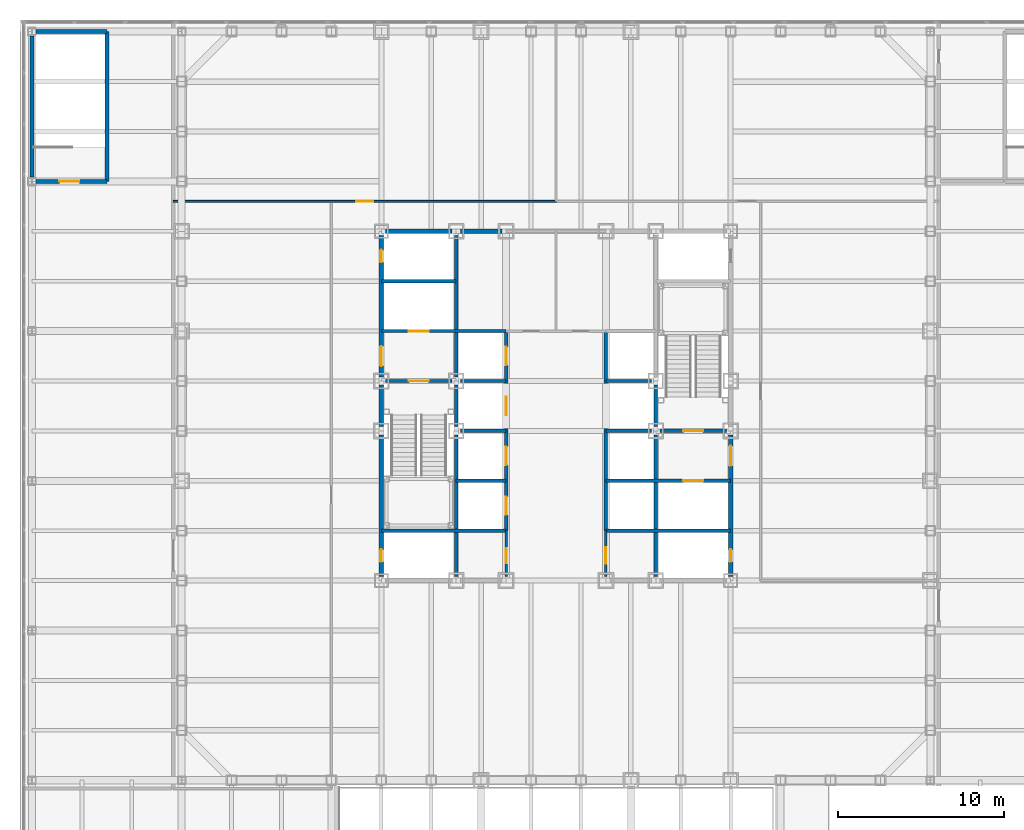
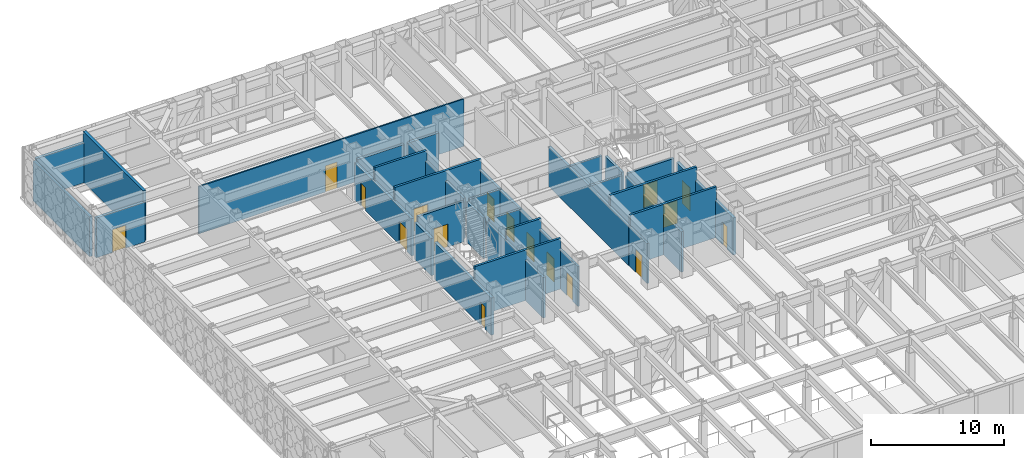
# One storey, part 14 of 24: 32 walls, 17 doors, 17 openings.
"""IFC4 building model written with IfcOpenShell, lengths in metres."""

from ifc_helpers import new_model, si_unit, direction, frame, frame_2d, origin, place, context, subcontext, project, spatial, rectangle, extrude, material, layer, layer_set, type_object, element, fill, save


model = new_model("IFC4")

# Units and contexts
model_context = context("Model", 3, precision=1e-05, world=origin(), true_north=direction((0.0, 1.0)))
body_context = subcontext(model_context, "Body", "Model", "MODEL_VIEW")
ifc_project = project(units=[si_unit("LENGTHUNIT", "METRE"), si_unit("AREAUNIT", "SQUARE_METRE"), si_unit("VOLUMEUNIT", "CUBIC_METRE"), si_unit("PLANEANGLEUNIT", "RADIAN"), si_unit("MASSUNIT", "GRAM", prefix="KILO")], contexts=[model_context])

# Site, building, storey
site_placement = place(None, origin())
site = spatial("IfcSite", under=ifc_project, at=site_placement, CompositionType="ELEMENT")
building_placement = place(site_placement, origin())
building = spatial("IfcBuilding", under=site, at=building_placement, Name="Chuquiago Exchange Tower", CompositionType="ELEMENT")
storey_placement = place(building_placement, frame((0.0, 0.0, 19.5)))
storey = spatial("IfcBuildingStorey", under=building, at=storey_placement, Name="L03", CompositionType="ELEMENT", Elevation=19.5)

# Wall, opening, door
ifc_material_1 = material(Name="Concrete masonry, fully grouted", Category="masonry")
ifc_layer_1 = layer(ifc_material_1, 0.25)
ifc_layer_set_1 = layer_set([ifc_layer_1], Name="W1 core wall 250")
wall_type_1 = type_object("IfcWallType", Name="W1 core wall 250", PredefinedType="SOLIDWALL", material=ifc_layer_set_1)
wall_1_placement = place(storey_placement, frame((12.0, 12.25, 0.0), z_axis=(0.0, 0.0, 1.0), x_axis=(0.0, 1.0, 0.0)))
wall_1 = element("IfcWall", 1, at=wall_1_placement, inside=storey, type_object=wall_type_1, Name="CW-L03-00-0", PredefinedType="SOLIDWALL", context=body_context, shape_type="SweptSolid", body=[
    extrude(rectangle(XDim=8.5, YDim=0.25, at=frame_2d((4.25, 0.0))), origin(), (0.0, 0.0, 1.0), 3.412841796875),
])
opening_1_placement = place(wall_1_placement, frame((0.875, 0.0, 0.0)))
opening_1 = element("IfcOpeningElement", 2, at=opening_1_placement, cuts=wall_1, Name="Opening L03-007", PredefinedType="OPENING", context=body_context, shape_type="SweptSolid", body=[
    extrude(rectangle(XDim=0.75, YDim=2.10009765625, at=frame_2d((0.375, 1.050048828125))), frame((0.0, 0.135009765625, 0.0), z_axis=(0.0, -1.0, 0.0), x_axis=(1.0, 0.0, 0.0)), (0.0, 0.0, 1.0), 0.27001953125),
])
ifc_material_2 = material(Name="Steel door, painted", Category="steel")
door_type_1 = type_object("IfcDoorType", Name="D6 riser access door 750x2100", OperationType="SINGLE_SWING_LEFT", PredefinedType="DOOR", material=ifc_material_2)
door_1_placement = place(opening_1_placement, origin())
door_1 = element("IfcDoor", 3, at=door_1_placement, inside=storey, type_object=door_type_1, Name="Riser RW1 door", OperationType="SINGLE_SWING_LEFT", OverallHeight=2.10009765625, OverallWidth=0.75, PredefinedType="DOOR", context=body_context, shape_type="SweptSolid", body=[
    extrude(rectangle(XDim=0.75, YDim=2.10009765625, at=frame_2d((0.375, 1.050048828125))), frame((0.0, 0.02490234375, 0.0), z_axis=(0.0, -1.0, 0.0), x_axis=(1.0, 0.0, 0.0)), (0.0, 0.0, 1.0), 0.050048828125),
])
fill(opening_1, door_1)

# Wall
wall_2_placement = place(storey_placement, frame((12.0, 21.25, 0.0), z_axis=(0.0, 0.0, 1.0), x_axis=(0.0, 1.0, 0.0)))
element("IfcWall", 4, at=wall_2_placement, inside=storey, type_object=wall_type_1, Name="CW-L03-00-1", PredefinedType="SOLIDWALL", context=body_context, shape_type="SweptSolid", body=[
    extrude(rectangle(XDim=2.5, YDim=0.25, at=frame_2d((1.25, 0.0))), origin(), (0.0, 0.0, 1.0), 3.412841796875),
])

# Wall, openings, doors
wall_3_placement = place(storey_placement, frame((12.0, 24.25, 0.0), z_axis=(0.0, 0.0, 1.0), x_axis=(0.0, 1.0, 0.0)))
wall_3 = element("IfcWall", 5, at=wall_3_placement, inside=storey, type_object=wall_type_1, Name="CW-L03-00-2", PredefinedType="SOLIDWALL", context=body_context, shape_type="SweptSolid", body=[
    extrude(rectangle(XDim=8.5, YDim=0.25, at=frame_2d((4.25, 0.0))), origin(), (0.0, 0.0, 1.0), 3.412841796875),
])
opening_2_placement = place(wall_3_placement, frame((0.64990234375, 0.0, 0.0)))
opening_2 = element("IfcOpeningElement", 6, at=opening_2_placement, cuts=wall_3, Name="Opening L03-002", PredefinedType="OPENING", context=body_context, shape_type="SweptSolid", body=[
    extrude(rectangle(XDim=1.199951171875, YDim=2.10009765625, at=frame_2d((0.60009765625, 1.050048828125))), frame((0.0, 0.135009765625, 0.0), z_axis=(0.0, -1.0, 0.0), x_axis=(1.0, 0.0, 0.0)), (0.0, 0.0, 1.0), 0.27001953125),
])
opening_3_placement = place(wall_3_placement, frame((6.875, 0.0, 0.0)))
opening_3 = element("IfcOpeningElement", 7, at=opening_3_placement, cuts=wall_3, Name="Opening L03-008", PredefinedType="OPENING", context=body_context, shape_type="SweptSolid", body=[
    extrude(rectangle(XDim=0.75, YDim=2.10009765625, at=frame_2d((0.375, 1.050048828125))), frame((0.0, 0.135009765625, 0.0), z_axis=(0.0, -1.0, 0.0), x_axis=(1.0, 0.0, 0.0)), (0.0, 0.0, 1.0), 0.27001953125),
])
ifc_material_3 = material(Name="Steel door, painted", Category="steel")
door_type_2 = type_object("IfcDoorType", Name="D5 firefighting lobby door 1200x2100", OperationType="SINGLE_SWING_LEFT", PredefinedType="DOOR", material=ifc_material_3)
door_2_placement = place(opening_2_placement, frame((1.199951171875, 0.0, 0.0), z_axis=(0.0, 0.0, 1.0), x_axis=(-1.0, 0.0, 0.0)))
door_2 = element("IfcDoor", 8, at=door_2_placement, inside=storey, type_object=door_type_2, Name="Firefighting lobby 1 door", OperationType="SINGLE_SWING_RIGHT", OverallHeight=2.10009765625, OverallWidth=1.199951171875, PredefinedType="DOOR", context=body_context, shape_type="SweptSolid", body=[
    extrude(rectangle(XDim=1.199951171875, YDim=2.10009765625, at=frame_2d((0.60009765625, 1.050048828125))), frame((0.0, 0.02490234375, 0.0), z_axis=(0.0, -1.0, 0.0), x_axis=(1.0, 0.0, 0.0)), (0.0, 0.0, 1.0), 0.050048828125),
])
fill(opening_2, door_2)
door_3_placement = place(opening_3_placement, origin())
door_3 = element("IfcDoor", 9, at=door_3_placement, inside=storey, type_object=door_type_1, Name="Riser RW2 door", OperationType="SINGLE_SWING_RIGHT", OverallHeight=2.10009765625, OverallWidth=0.75, PredefinedType="DOOR", context=body_context, shape_type="SweptSolid", body=[
    extrude(rectangle(XDim=0.75, YDim=2.10009765625, at=frame_2d((0.375, 1.050048828125))), frame((0.0, 0.02490234375, 0.0), z_axis=(0.0, -1.0, 0.0), x_axis=(1.0, 0.0, 0.0)), (0.0, 0.0, 1.0), 0.050048828125),
])
fill(opening_3, door_3)

# Walls
wall_4_placement = place(storey_placement, frame((12.25, 33.0, 0.0), z_axis=(0.0, 0.0, 1.0), x_axis=(1.0, 0.0, 0.0)))
element("IfcWall", 10, at=wall_4_placement, inside=storey, type_object=wall_type_1, Name="CW-L03-11-0", PredefinedType="SOLIDWALL", context=body_context, shape_type="SweptSolid", body=[
    extrude(rectangle(XDim=4.0, YDim=0.25, at=frame_2d((2.0, 0.0))), origin(), (0.0, 0.0, 1.0), 3.4814453125),
])
wall_5_placement = place(storey_placement, frame((16.75, 33.0, 0.0), z_axis=(0.0, 0.0, 1.0), x_axis=(1.0, 0.0, 0.0)))
element("IfcWall", 11, at=wall_5_placement, inside=storey, type_object=wall_type_1, Name="CW-L03-11-1", PredefinedType="SOLIDWALL", context=body_context, shape_type="SweptSolid", body=[
    extrude(rectangle(XDim=2.5, YDim=0.25, at=frame_2d((1.25, 0.0))), origin(), (0.0, 0.0, 1.0), 3.4814453125),
])

# Wall, openings, doors
wall_6_placement = place(storey_placement, frame((33.0, 12.25, 0.0), z_axis=(0.0, 0.0, 1.0), x_axis=(0.0, 1.0, 0.0)))
wall_6 = element("IfcWall", 12, at=wall_6_placement, inside=storey, type_object=wall_type_1, Name="CW-L03-25-0", PredefinedType="SOLIDWALL", context=body_context, shape_type="SweptSolid", body=[
    extrude(rectangle(XDim=8.5, YDim=0.25, at=frame_2d((4.25, 0.0))), origin(), (0.0, 0.0, 1.0), 3.412841796875),
])
opening_4_placement = place(wall_6_placement, frame((6.64990234375, 0.0, 0.0)))
opening_4 = element("IfcOpeningElement", 13, at=opening_4_placement, cuts=wall_6, Name="Opening L03-004", PredefinedType="OPENING", context=body_context, shape_type="SweptSolid", body=[
    extrude(rectangle(XDim=1.199951171875, YDim=2.10009765625, at=frame_2d((0.60009765625, 1.050048828125))), frame((0.0, 0.135009765625, 0.0), z_axis=(0.0, -1.0, 0.0), x_axis=(1.0, 0.0, 0.0)), (0.0, 0.0, 1.0), 0.27001953125),
])
opening_5_placement = place(wall_6_placement, frame((0.875, 0.0, 0.0)))
opening_5 = element("IfcOpeningElement", 14, at=opening_5_placement, cuts=wall_6, Name="Opening L03-009", PredefinedType="OPENING", context=body_context, shape_type="SweptSolid", body=[
    extrude(rectangle(XDim=0.75, YDim=2.10009765625, at=frame_2d((0.375, 1.050048828125))), frame((0.0, 0.135009765625, 0.0), z_axis=(0.0, -1.0, 0.0), x_axis=(1.0, 0.0, 0.0)), (0.0, 0.0, 1.0), 0.27001953125),
])
door_4_placement = place(opening_4_placement, origin())
door_4 = element("IfcDoor", 15, at=door_4_placement, inside=storey, type_object=door_type_2, Name="Firefighting lobby 2 door", OperationType="SINGLE_SWING_RIGHT", OverallHeight=2.10009765625, OverallWidth=1.199951171875, PredefinedType="DOOR", context=body_context, shape_type="SweptSolid", body=[
    extrude(rectangle(XDim=1.199951171875, YDim=2.10009765625, at=frame_2d((0.60009765625, 1.050048828125))), frame((0.0, 0.02490234375, 0.0), z_axis=(0.0, -1.0, 0.0), x_axis=(1.0, 0.0, 0.0)), (0.0, 0.0, 1.0), 0.050048828125),
])
fill(opening_4, door_4)
door_5_placement = place(opening_5_placement, origin())
door_5 = element("IfcDoor", 16, at=door_5_placement, inside=storey, type_object=door_type_1, Name="Riser RE1 door", OperationType="SINGLE_SWING_LEFT", OverallHeight=2.10009765625, OverallWidth=0.75, PredefinedType="DOOR", context=body_context, shape_type="SweptSolid", body=[
    extrude(rectangle(XDim=0.75, YDim=2.10009765625, at=frame_2d((0.375, 1.050048828125))), frame((0.0, 0.02490234375, 0.0), z_axis=(0.0, -1.0, 0.0), x_axis=(1.0, 0.0, 0.0)), (0.0, 0.0, 1.0), 0.050048828125),
])
fill(opening_5, door_5)

# Wall, opening, door
ifc_material_4 = material(Name="Concrete masonry, fully grouted", Category="masonry")
ifc_layer_2 = layer(ifc_material_4, 0.25)
ifc_layer_set_2 = layer_set([ifc_layer_2], Name="W10 podium stair wall 250")
wall_type_2 = type_object("IfcWallType", Name="W10 podium stair wall 250", PredefinedType="SOLIDWALL", material=ifc_layer_set_2)
wall_7_placement = place(storey_placement, frame((-8.75, 36.0, 0.0), z_axis=(0.0, 0.0, 1.0), x_axis=(1.0, 0.0, 0.0)))
wall_7 = element("IfcWall", 17, at=wall_7_placement, inside=storey, type_object=wall_type_2, Name="PSW-L03-PS3-00", PredefinedType="SOLIDWALL", context=body_context, shape_type="SweptSolid", body=[
    extrude(rectangle(XDim=4.25, YDim=0.25, at=frame_2d((2.125, 0.0))), origin(), (0.0, 0.0, 1.0), 3.652587890625),
])
opening_6_placement = place(wall_7_placement, frame((1.39990234375, 0.0, 0.0)))
opening_6 = element("IfcOpeningElement", 18, at=opening_6_placement, cuts=wall_7, Name="Opening L03-028", PredefinedType="OPENING", context=body_context, shape_type="SweptSolid", body=[
    extrude(rectangle(XDim=1.199951171875, YDim=2.10009765625, at=frame_2d((0.60009765625, 1.050048828125))), frame((0.0, 0.135009765625, 0.0), z_axis=(0.0, -1.0, 0.0), x_axis=(1.0, 0.0, 0.0)), (0.0, 0.0, 1.0), 0.27001953125),
])
ifc_material_5 = material(Name="Steel door, painted", Category="steel")
door_type_3 = type_object("IfcDoorType", Name="D4 stair door 1200x2100", OperationType="SINGLE_SWING_LEFT", PredefinedType="DOOR", material=ifc_material_5)
door_6_placement = place(opening_6_placement, origin())
door_6 = element("IfcDoor", 19, at=door_6_placement, inside=storey, type_object=door_type_3, Name="Stair PS3 door", OperationType="SINGLE_SWING_LEFT", OverallHeight=2.10009765625, OverallWidth=1.199951171875, PredefinedType="DOOR", context=body_context, shape_type="SweptSolid", body=[
    extrude(rectangle(XDim=1.199951171875, YDim=2.10009765625, at=frame_2d((0.60009765625, 1.050048828125))), frame((0.0, 0.02490234375, 0.0), z_axis=(0.0, -1.0, 0.0), x_axis=(1.0, 0.0, 0.0)), (0.0, 0.0, 1.0), 0.050048828125),
])
fill(opening_6, door_6)

# Walls
wall_8_placement = place(storey_placement, frame((-4.5, 36.0, 0.0), z_axis=(0.0, 0.0, 1.0), x_axis=(0.0, 1.0, 0.0)))
element("IfcWall", 20, at=wall_8_placement, inside=storey, type_object=wall_type_2, Name="PSW-L03-PS3-10", PredefinedType="SOLIDWALL", context=body_context, shape_type="SweptSolid", body=[
    extrude(rectangle(XDim=9.0, YDim=0.25, at=frame_2d((4.5, 0.0))), origin(), (0.0, 0.0, 1.0), 4.639892578125),
])
wall_9_placement = place(storey_placement, frame((-8.75, 45.0, 0.0), z_axis=(0.0, 0.0, 1.0), x_axis=(1.0, 0.0, 0.0)))
element("IfcWall", 21, at=wall_9_placement, inside=storey, type_object=wall_type_2, Name="PSW-L03-PS3-20", PredefinedType="SOLIDWALL", context=body_context, shape_type="SweptSolid", body=[
    extrude(rectangle(XDim=4.25, YDim=0.25, at=frame_2d((2.125, 0.0))), origin(), (0.0, 0.0, 1.0), 3.652587890625),
])
wall_10_placement = place(storey_placement, frame((-9.0, 36.25, 0.0), z_axis=(0.0, 0.0, 1.0), x_axis=(0.0, 1.0, 0.0)))
element("IfcWall", 22, at=wall_10_placement, inside=storey, type_object=wall_type_2, Name="PSW-L03-PS3-30", PredefinedType="SOLIDWALL", context=body_context, shape_type="SweptSolid", body=[
    extrude(rectangle(XDim=8.5, YDim=0.25, at=frame_2d((4.25, 0.0))), origin(), (0.0, 0.0, 1.0), 3.652587890625),
])
ifc_material_6 = material(Name="Concrete masonry, fully grouted", Category="masonry")
ifc_layer_3 = layer(ifc_material_6, 0.199951171875)
ifc_layer_set_3 = layer_set([ifc_layer_3], Name="W2 shaft wall 200")
wall_type_3 = type_object("IfcWallType", Name="W2 shaft wall 200", PredefinedType="SOLIDWALL", material=ifc_layer_set_3)
for number, where, z_axis, x_axis, name in (
    (23, (12.0, 15.0, 0.0), (0.0, 0.0, 1.0), (1.0, 0.0, 0.0), "CW-L03-03-0"),
    (24, (25.5, 15.0, 0.0), (0.0, 0.0, 1.0), (1.0, 0.0, 0.0), "CW-L03-04-0"),
):
    element("IfcWall", number, at=place(storey_placement, frame(where, z_axis=z_axis, x_axis=x_axis)), inside=storey, type_object=wall_type_3, Name=name, PredefinedType="SOLIDWALL", context=body_context, shape_type="SweptSolid", body=[
        extrude(rectangle(XDim=7.5, YDim=0.199951171875, at=frame_2d((3.75, 0.0))), origin(), (0.0, 0.0, 1.0), 4.639892578125),
    ])

# Wall, opening, door
wall_11_placement = place(storey_placement, frame((12.25, 24.0, 0.0), z_axis=(0.0, 0.0, 1.0), x_axis=(1.0, 0.0, 0.0)))
wall_11 = element("IfcWall", 25, at=wall_11_placement, inside=storey, type_object=wall_type_3, Name="CW-L03-05-0", PredefinedType="SOLIDWALL", context=body_context, shape_type="SweptSolid", body=[
    extrude(rectangle(XDim=4.0, YDim=0.199951171875, at=frame_2d((2.0, 0.0))), origin(), (0.0, 0.0, 1.0), 3.68994140625),
])
opening_7_placement = place(wall_11_placement, frame((1.39990234375, 0.0, 0.0)))
opening_7 = element("IfcOpeningElement", 26, at=opening_7_placement, cuts=wall_11, Name="Opening L03-001", PredefinedType="OPENING", context=body_context, shape_type="SweptSolid", body=[
    extrude(rectangle(XDim=1.199951171875, YDim=2.10009765625, at=frame_2d((0.60009765625, 1.050048828125))), frame((0.0, 0.10986328125, 0.0), z_axis=(0.0, -1.0, 0.0), x_axis=(1.0, 0.0, 0.0)), (0.0, 0.0, 1.0), 0.219970703125),
])
door_7_placement = place(opening_7_placement, frame((1.199951171875, 0.0, 0.0), z_axis=(0.0, 0.0, 1.0), x_axis=(-1.0, 0.0, 0.0)))
door_7 = element("IfcDoor", 27, at=door_7_placement, inside=storey, type_object=door_type_3, Name="Stair ST1 door", OperationType="SINGLE_SWING_RIGHT", OverallHeight=2.10009765625, OverallWidth=1.199951171875, PredefinedType="DOOR", context=body_context, shape_type="SweptSolid", body=[
    extrude(rectangle(XDim=1.199951171875, YDim=2.10009765625, at=frame_2d((0.60009765625, 1.050048828125))), frame((0.0, 0.02490234375, 0.0), z_axis=(0.0, -1.0, 0.0), x_axis=(1.0, 0.0, 0.0)), (0.0, 0.0, 1.0), 0.050048828125),
])
fill(opening_7, door_7)

# Walls
for number, where, z_axis, x_axis, name in (
    (28, (16.75, 24.0, 0.0), (0.0, 0.0, 1.0), (1.0, 0.0, 0.0), "CW-L03-05-1"),
    (29, (25.5, 24.0, 0.0), (0.0, 0.0, 1.0), (1.0, 0.0, 0.0), "CW-L03-06-0"),
):
    element("IfcWall", number, at=place(storey_placement, frame(where, z_axis=z_axis, x_axis=x_axis)), inside=storey, type_object=wall_type_3, Name=name, PredefinedType="SOLIDWALL", context=body_context, shape_type="SweptSolid", body=[
        extrude(rectangle(XDim=2.75, YDim=0.199951171875, at=frame_2d((1.375, 0.0))), origin(), (0.0, 0.0, 1.0), 3.68994140625),
    ])

# Wall, opening, door
wall_12_placement = place(storey_placement, frame((12.0, 27.0, 0.0), z_axis=(0.0, 0.0, 1.0), x_axis=(1.0, 0.0, 0.0)))
wall_12 = element("IfcWall", 30, at=wall_12_placement, inside=storey, type_object=wall_type_3, Name="CW-L03-07-0", PredefinedType="SOLIDWALL", context=body_context, shape_type="SweptSolid", body=[
    extrude(rectangle(XDim=7.5, YDim=0.199951171875, at=frame_2d((3.75, 0.0))), origin(), (0.0, 0.0, 1.0), 4.639892578125),
])
opening_8_placement = place(wall_12_placement, frame((1.64990234375, 0.0, 0.0)))
opening_8 = element("IfcOpeningElement", 31, at=opening_8_placement, cuts=wall_12, Name="Opening L03-005", PredefinedType="OPENING", context=body_context, shape_type="SweptSolid", body=[
    extrude(rectangle(XDim=1.199951171875, YDim=2.10009765625, at=frame_2d((0.60009765625, 1.050048828125))), frame((0.0, 0.10986328125, 0.0), z_axis=(0.0, -1.0, 0.0), x_axis=(1.0, 0.0, 0.0)), (0.0, 0.0, 1.0), 0.219970703125),
])
ifc_material_7 = material(Name="Stainless steel lift landing door", Category="steel")
door_type_4 = type_object("IfcDoorType", Name="LD2 firefighting lift landing door 1200x2100", OperationType="DOUBLE_DOOR_SLIDING", PredefinedType="DOOR", material=ifc_material_7)
door_8_placement = place(opening_8_placement, origin())
door_8 = element("IfcDoor", 32, at=door_8_placement, inside=storey, type_object=door_type_4, Name="Firefighting lift FL1 landing door", OperationType="DOUBLE_DOOR_SLIDING", OverallHeight=2.10009765625, OverallWidth=1.199951171875, PredefinedType="DOOR", context=body_context, shape_type="SweptSolid", body=[
    extrude(rectangle(XDim=1.199951171875, YDim=2.10009765625, at=frame_2d((0.60009765625, 1.050048828125))), frame((0.0, 0.02490234375, 0.0), z_axis=(0.0, -1.0, 0.0), x_axis=(1.0, 0.0, 0.0)), (0.0, 0.0, 1.0), 0.050048828125),
])
fill(opening_8, door_8)

# Walls
wall_13_placement = place(storey_placement, frame((12.0, 30.0, 0.0), z_axis=(0.0, 0.0, 1.0), x_axis=(1.0, 0.0, 0.0)))
element("IfcWall", 33, at=wall_13_placement, inside=storey, type_object=wall_type_3, Name="CW-L03-09-0", PredefinedType="SOLIDWALL", context=body_context, shape_type="SweptSolid", body=[
    extrude(rectangle(XDim=4.5, YDim=0.199951171875, at=frame_2d((2.25, 0.0))), origin(), (0.0, 0.0, 1.0), 4.639892578125),
])
wall_14_placement = place(storey_placement, frame((16.5, 12.25, 0.0), z_axis=(0.0, 0.0, 1.0), x_axis=(0.0, 1.0, 0.0)))
element("IfcWall", 34, at=wall_14_placement, inside=storey, type_object=wall_type_3, Name="CW-L03-13-0", PredefinedType="SOLIDWALL", context=body_context, shape_type="SweptSolid", body=[
    extrude(rectangle(XDim=8.5, YDim=0.199951171875, at=frame_2d((4.25, 0.0))), origin(), (0.0, 0.0, 1.0), 3.712890625),
])
wall_15_placement = place(storey_placement, frame((16.5, 21.25, 0.0), z_axis=(0.0, 0.0, 1.0), x_axis=(0.0, 1.0, 0.0)))
element("IfcWall", 35, at=wall_15_placement, inside=storey, type_object=wall_type_3, Name="CW-L03-13-1", PredefinedType="SOLIDWALL", context=body_context, shape_type="SweptSolid", body=[
    extrude(rectangle(XDim=2.5, YDim=0.199951171875, at=frame_2d((1.25, 0.0))), origin(), (0.0, 0.0, 1.0), 3.712890625),
])
wall_16_placement = place(storey_placement, frame((16.5, 24.25, 0.0), z_axis=(0.0, 0.0, 1.0), x_axis=(0.0, 1.0, 0.0)))
element("IfcWall", 36, at=wall_16_placement, inside=storey, type_object=wall_type_3, Name="CW-L03-13-2", PredefinedType="SOLIDWALL", context=body_context, shape_type="SweptSolid", body=[
    extrude(rectangle(XDim=8.5, YDim=0.199951171875, at=frame_2d((4.25, 0.0))), origin(), (0.0, 0.0, 1.0), 3.712890625),
])
wall_17_placement = place(storey_placement, frame((16.5, 18.0, 0.0), z_axis=(0.0, 0.0, 1.0), x_axis=(1.0, 0.0, 0.0)))
element("IfcWall", 37, at=wall_17_placement, inside=storey, type_object=wall_type_3, Name="CW-L03-14-0", PredefinedType="SOLIDWALL", context=body_context, shape_type="SweptSolid", body=[
    extrude(rectangle(XDim=3.0, YDim=0.199951171875, at=frame_2d((1.5, 0.0))), origin(), (0.0, 0.0, 1.0), 4.639892578125),
])

# Wall, opening, door
wall_18_placement = place(storey_placement, frame((25.5, 18.0, 0.0), z_axis=(0.0, 0.0, 1.0), x_axis=(1.0, 0.0, 0.0)))
wall_18 = element("IfcWall", 38, at=wall_18_placement, inside=storey, type_object=wall_type_3, Name="CW-L03-15-0", PredefinedType="SOLIDWALL", context=body_context, shape_type="SweptSolid", body=[
    extrude(rectangle(XDim=7.5, YDim=0.199951171875, at=frame_2d((3.75, 0.0))), origin(), (0.0, 0.0, 1.0), 4.639892578125),
])
opening_9_placement = place(wall_18_placement, frame((4.64990234375, 0.0, 0.0)))
opening_9 = element("IfcOpeningElement", 39, at=opening_9_placement, cuts=wall_18, Name="Opening L03-006", PredefinedType="OPENING", context=body_context, shape_type="SweptSolid", body=[
    extrude(rectangle(XDim=1.199951171875, YDim=2.10009765625, at=frame_2d((0.60009765625, 1.050048828125))), frame((0.0, 0.10986328125, 0.0), z_axis=(0.0, -1.0, 0.0), x_axis=(1.0, 0.0, 0.0)), (0.0, 0.0, 1.0), 0.219970703125),
])
door_9_placement = place(opening_9_placement, origin())
door_9 = element("IfcDoor", 40, at=door_9_placement, inside=storey, type_object=door_type_4, Name="Firefighting lift FL2 landing door", OperationType="DOUBLE_DOOR_SLIDING", OverallHeight=2.10009765625, OverallWidth=1.199951171875, PredefinedType="DOOR", context=body_context, shape_type="SweptSolid", body=[
    extrude(rectangle(XDim=1.199951171875, YDim=2.10009765625, at=frame_2d((0.60009765625, 1.050048828125))), frame((0.0, 0.02490234375, 0.0), z_axis=(0.0, -1.0, 0.0), x_axis=(1.0, 0.0, 0.0)), (0.0, 0.0, 1.0), 0.050048828125),
])
fill(opening_9, door_9)

# Walls
for number, where, z_axis, x_axis, name in (
    (41, (16.75, 21.0, 0.0), (0.0, 0.0, 1.0), (1.0, 0.0, 0.0), "CW-L03-16-0"),
    (42, (25.5, 21.0, 0.0), (0.0, 0.0, 1.0), (1.0, 0.0, 0.0), "CW-L03-17-0"),
):
    element("IfcWall", number, at=place(storey_placement, frame(where, z_axis=z_axis, x_axis=x_axis)), inside=storey, type_object=wall_type_3, Name=name, PredefinedType="SOLIDWALL", context=body_context, shape_type="SweptSolid", body=[
        extrude(rectangle(XDim=2.75, YDim=0.199951171875, at=frame_2d((1.375, 0.0))), origin(), (0.0, 0.0, 1.0), 3.68994140625),
    ])

# Wall, opening, door
wall_19_placement = place(storey_placement, frame((28.75, 21.0, 0.0), z_axis=(0.0, 0.0, 1.0), x_axis=(1.0, 0.0, 0.0)))
wall_19 = element("IfcWall", 43, at=wall_19_placement, inside=storey, type_object=wall_type_3, Name="CW-L03-17-1", PredefinedType="SOLIDWALL", context=body_context, shape_type="SweptSolid", body=[
    extrude(rectangle(XDim=4.0, YDim=0.199951171875, at=frame_2d((2.0, 0.0))), origin(), (0.0, 0.0, 1.0), 3.68994140625),
])
opening_10_placement = place(wall_19_placement, frame((1.39990234375, 0.0, 0.0)))
opening_10 = element("IfcOpeningElement", 44, at=opening_10_placement, cuts=wall_19, Name="Opening L03-003", PredefinedType="OPENING", context=body_context, shape_type="SweptSolid", body=[
    extrude(rectangle(XDim=1.199951171875, YDim=2.10009765625, at=frame_2d((0.60009765625, 1.050048828125))), frame((0.0, 0.10986328125, 0.0), z_axis=(0.0, -1.0, 0.0), x_axis=(1.0, 0.0, 0.0)), (0.0, 0.0, 1.0), 0.219970703125),
])
door_10_placement = place(opening_10_placement, origin())
door_10 = element("IfcDoor", 45, at=door_10_placement, inside=storey, type_object=door_type_3, Name="Stair ST2 door", OperationType="SINGLE_SWING_LEFT", OverallHeight=2.10009765625, OverallWidth=1.199951171875, PredefinedType="DOOR", context=body_context, shape_type="SweptSolid", body=[
    extrude(rectangle(XDim=1.199951171875, YDim=2.10009765625, at=frame_2d((0.60009765625, 1.050048828125))), frame((0.0, 0.02490234375, 0.0), z_axis=(0.0, -1.0, 0.0), x_axis=(1.0, 0.0, 0.0)), (0.0, 0.0, 1.0), 0.050048828125),
])
fill(opening_10, door_10)

# Wall, openings, doors
wall_20_placement = place(storey_placement, frame((19.5, 15.0, 0.0), z_axis=(0.0, 0.0, 1.0), x_axis=(0.0, 1.0, 0.0)))
wall_20 = element("IfcWall", 46, at=wall_20_placement, inside=storey, type_object=wall_type_3, Name="CW-L03-19-0", PredefinedType="SOLIDWALL", context=body_context, shape_type="SweptSolid", body=[
    extrude(rectangle(XDim=12.0, YDim=0.199951171875, at=frame_2d((6.0, 0.0))), origin(), (0.0, 0.0, 1.0), 3.66455078125),
])
opening_11_placement = place(wall_20_placement, frame((0.949951171875, 0.0, 0.0)))
opening_11 = element("IfcOpeningElement", 47, at=opening_11_placement, cuts=wall_20, Name="Opening L03-015", PredefinedType="OPENING", context=body_context, shape_type="SweptSolid", body=[
    extrude(rectangle(XDim=1.10009765625, YDim=2.10009765625, at=frame_2d((0.550048828125, 1.050048828125))), frame((0.0, 0.10986328125, 0.0), z_axis=(0.0, -1.0, 0.0), x_axis=(1.0, 0.0, 0.0)), (0.0, 0.0, 1.0), 0.219970703125),
])
opening_12_placement = place(wall_20_placement, frame((3.949951171875, 0.0, 0.0)))
opening_12 = element("IfcOpeningElement", 48, at=opening_12_placement, cuts=wall_20, Name="Opening L03-016", PredefinedType="OPENING", context=body_context, shape_type="SweptSolid", body=[
    extrude(rectangle(XDim=1.10009765625, YDim=2.10009765625, at=frame_2d((0.550048828125, 1.050048828125))), frame((0.0, 0.10986328125, 0.0), z_axis=(0.0, -1.0, 0.0), x_axis=(1.0, 0.0, 0.0)), (0.0, 0.0, 1.0), 0.219970703125),
])
opening_13_placement = place(wall_20_placement, frame((6.949951171875, 0.0, 0.0)))
opening_13 = element("IfcOpeningElement", 49, at=opening_13_placement, cuts=wall_20, Name="Opening L03-017", PredefinedType="OPENING", context=body_context, shape_type="SweptSolid", body=[
    extrude(rectangle(XDim=1.10009765625, YDim=2.10009765625, at=frame_2d((0.550048828125, 1.050048828125))), frame((0.0, 0.10986328125, 0.0), z_axis=(0.0, -1.0, 0.0), x_axis=(1.0, 0.0, 0.0)), (0.0, 0.0, 1.0), 0.219970703125),
])
opening_14_placement = place(wall_20_placement, frame((9.949951171875, 0.0, 0.0)))
opening_14 = element("IfcOpeningElement", 50, at=opening_14_placement, cuts=wall_20, Name="Opening L03-018", PredefinedType="OPENING", context=body_context, shape_type="SweptSolid", body=[
    extrude(rectangle(XDim=1.10009765625, YDim=2.10009765625, at=frame_2d((0.550048828125, 1.050048828125))), frame((0.0, 0.10986328125, 0.0), z_axis=(0.0, -1.0, 0.0), x_axis=(1.0, 0.0, 0.0)), (0.0, 0.0, 1.0), 0.219970703125),
])
ifc_material_8 = material(Name="Stainless steel lift landing door", Category="steel")
door_type_5 = type_object("IfcDoorType", Name="LD1 lift landing door 1100x2100", OperationType="DOUBLE_DOOR_SLIDING", PredefinedType="DOOR", material=ifc_material_8)
door_11_placement = place(opening_11_placement, origin())
door_11 = element("IfcDoor", 51, at=door_11_placement, inside=storey, type_object=door_type_5, Name="Lift LA1 landing door", OperationType="DOUBLE_DOOR_SLIDING", OverallHeight=2.10009765625, OverallWidth=1.10009765625, PredefinedType="DOOR", context=body_context, shape_type="SweptSolid", body=[
    extrude(rectangle(XDim=1.10009765625, YDim=2.10009765625, at=frame_2d((0.550048828125, 1.050048828125))), frame((0.0, 0.02490234375, 0.0), z_axis=(0.0, -1.0, 0.0), x_axis=(1.0, 0.0, 0.0)), (0.0, 0.0, 1.0), 0.050048828125),
])
fill(opening_11, door_11)
door_12_placement = place(opening_12_placement, origin())
door_12 = element("IfcDoor", 52, at=door_12_placement, inside=storey, type_object=door_type_5, Name="Lift LA2 landing door", OperationType="DOUBLE_DOOR_SLIDING", OverallHeight=2.10009765625, OverallWidth=1.10009765625, PredefinedType="DOOR", context=body_context, shape_type="SweptSolid", body=[
    extrude(rectangle(XDim=1.10009765625, YDim=2.10009765625, at=frame_2d((0.550048828125, 1.050048828125))), frame((0.0, 0.02490234375, 0.0), z_axis=(0.0, -1.0, 0.0), x_axis=(1.0, 0.0, 0.0)), (0.0, 0.0, 1.0), 0.050048828125),
])
fill(opening_12, door_12)
door_13_placement = place(opening_13_placement, origin())
door_13 = element("IfcDoor", 53, at=door_13_placement, inside=storey, type_object=door_type_5, Name="Lift LA3 landing door", OperationType="DOUBLE_DOOR_SLIDING", OverallHeight=2.10009765625, OverallWidth=1.10009765625, PredefinedType="DOOR", context=body_context, shape_type="SweptSolid", body=[
    extrude(rectangle(XDim=1.10009765625, YDim=2.10009765625, at=frame_2d((0.550048828125, 1.050048828125))), frame((0.0, 0.02490234375, 0.0), z_axis=(0.0, -1.0, 0.0), x_axis=(1.0, 0.0, 0.0)), (0.0, 0.0, 1.0), 0.050048828125),
])
fill(opening_13, door_13)
door_14_placement = place(opening_14_placement, origin())
door_14 = element("IfcDoor", 54, at=door_14_placement, inside=storey, type_object=door_type_5, Name="Lift LA4 landing door", OperationType="DOUBLE_DOOR_SLIDING", OverallHeight=2.10009765625, OverallWidth=1.10009765625, PredefinedType="DOOR", context=body_context, shape_type="SweptSolid", body=[
    extrude(rectangle(XDim=1.10009765625, YDim=2.10009765625, at=frame_2d((0.550048828125, 1.050048828125))), frame((0.0, 0.02490234375, 0.0), z_axis=(0.0, -1.0, 0.0), x_axis=(1.0, 0.0, 0.0)), (0.0, 0.0, 1.0), 0.050048828125),
])
fill(opening_14, door_14)

# Walls
wall_21_placement = place(storey_placement, frame((25.5, 15.0, 0.0), z_axis=(0.0, 0.0, 1.0), x_axis=(0.0, 1.0, 0.0)))
element("IfcWall", 55, at=wall_21_placement, inside=storey, type_object=wall_type_3, Name="CW-L03-22-0", PredefinedType="SOLIDWALL", context=body_context, shape_type="SweptSolid", body=[
    extrude(rectangle(XDim=12.0, YDim=0.199951171875, at=frame_2d((6.0, 0.0))), origin(), (0.0, 0.0, 1.0), 3.66455078125),
])
wall_22_placement = place(storey_placement, frame((28.5, 12.25, 0.0), z_axis=(0.0, 0.0, 1.0), x_axis=(0.0, 1.0, 0.0)))
element("IfcWall", 56, at=wall_22_placement, inside=storey, type_object=wall_type_3, Name="CW-L03-24-0", PredefinedType="SOLIDWALL", context=body_context, shape_type="SweptSolid", body=[
    extrude(rectangle(XDim=8.5, YDim=0.199951171875, at=frame_2d((4.25, 0.0))), origin(), (0.0, 0.0, 1.0), 3.712890625),
])
wall_23_placement = place(storey_placement, frame((28.5, 21.25, 0.0), z_axis=(0.0, 0.0, 1.0), x_axis=(0.0, 1.0, 0.0)))
element("IfcWall", 57, at=wall_23_placement, inside=storey, type_object=wall_type_3, Name="CW-L03-24-1", PredefinedType="SOLIDWALL", context=body_context, shape_type="SweptSolid", body=[
    extrude(rectangle(XDim=2.5, YDim=0.199951171875, at=frame_2d((1.25, 0.0))), origin(), (0.0, 0.0, 1.0), 3.712890625),
])

# Wall, opening, door
ifc_material_9 = material(Name="Gypsum board on steel studs", Category="steel")
ifc_layer_4 = layer(ifc_material_9, 0.14990234375)
ifc_layer_set_4 = layer_set([ifc_layer_4], Name="W3 core partition 150")
wall_type_4 = type_object("IfcWallType", Name="W3 core partition 150", PredefinedType="PARTITIONING", material=ifc_layer_set_4)
wall_24_placement = place(storey_placement, frame((19.5, 12.25, 0.0), z_axis=(0.0, 0.0, 1.0), x_axis=(0.0, 1.0, 0.0)))
wall_24 = element("IfcWall", 58, at=wall_24_placement, inside=storey, type_object=wall_type_4, Name="CW-L03-18-0", PredefinedType="PARTITIONING", context=body_context, shape_type="SweptSolid", body=[
    extrude(rectangle(XDim=2.75, YDim=0.14990234375, at=frame_2d((1.375, 0.0))), origin(), (0.0, 0.0, 1.0), 3.66455078125),
])
opening_15_placement = place(wall_24_placement, frame((0.800048828125, 0.0, 0.0)))
opening_15 = element("IfcOpeningElement", 59, at=opening_15_placement, cuts=wall_24, Name="Opening L03-014", PredefinedType="OPENING", context=body_context, shape_type="SweptSolid", body=[
    extrude(rectangle(XDim=0.89990234375, YDim=2.10009765625, at=frame_2d((0.449951171875, 1.050048828125))), frame((0.0, 0.0849609375, 0.0), z_axis=(0.0, -1.0, 0.0), x_axis=(1.0, 0.0, 0.0)), (0.0, 0.0, 1.0), 0.169921875),
])
ifc_material_10 = material(Name="Timber door, laminate faced", Category="wood")
door_type_6 = type_object("IfcDoorType", Name="D7 toilet door 900x2100", OperationType="SINGLE_SWING_LEFT", PredefinedType="DOOR", material=ifc_material_10)
door_15_placement = place(opening_15_placement, frame((0.89990234375, 0.0, 0.0), z_axis=(0.0, 0.0, 1.0), x_axis=(-1.0, 0.0, 0.0)))
door_15 = element("IfcDoor", 60, at=door_15_placement, inside=storey, type_object=door_type_6, Name="Cleaner door", OperationType="SINGLE_SWING_RIGHT", OverallHeight=2.10009765625, OverallWidth=0.89990234375, PredefinedType="DOOR", context=body_context, shape_type="SweptSolid", body=[
    extrude(rectangle(XDim=0.89990234375, YDim=2.10009765625, at=frame_2d((0.449951171875, 1.050048828125))), frame((0.0, 0.02490234375, 0.0), z_axis=(0.0, -1.0, 0.0), x_axis=(1.0, 0.0, 0.0)), (0.0, 0.0, 1.0), 0.050048828125),
])
fill(opening_15, door_15)

wall_25_placement = place(storey_placement, frame((25.5, 12.25, 0.0), z_axis=(0.0, 0.0, 1.0), x_axis=(0.0, 1.0, 0.0)))
wall_25 = element("IfcWall", 61, at=wall_25_placement, inside=storey, type_object=wall_type_4, Name="CW-L03-21-0", PredefinedType="PARTITIONING", context=body_context, shape_type="SweptSolid", body=[
    extrude(rectangle(XDim=2.75, YDim=0.14990234375, at=frame_2d((1.375, 0.0))), origin(), (0.0, 0.0, 1.0), 3.66455078125),
])
opening_16_placement = place(wall_25_placement, frame((0.75, 0.0, 0.0)))
opening_16 = element("IfcOpeningElement", 62, at=opening_16_placement, cuts=wall_25, Name="Opening L03-013", PredefinedType="OPENING", context=body_context, shape_type="SweptSolid", body=[
    extrude(rectangle(XDim=1.0, YDim=2.10009765625, at=frame_2d((0.5, 1.050048828125))), frame((0.0, 0.0849609375, 0.0), z_axis=(0.0, -1.0, 0.0), x_axis=(1.0, 0.0, 0.0)), (0.0, 0.0, 1.0), 0.169921875),
])
ifc_material_11 = material(Name="Timber door, laminate faced", Category="wood")
door_type_7 = type_object("IfcDoorType", Name="D8 accessible toilet door 1000x2100", OperationType="SLIDING_TO_LEFT", PredefinedType="DOOR", material=ifc_material_11)
door_16_placement = place(opening_16_placement, origin())
door_16 = element("IfcDoor", 63, at=door_16_placement, inside=storey, type_object=door_type_7, Name="Accessible WC door", OperationType="SLIDING_TO_LEFT", OverallHeight=2.10009765625, OverallWidth=1.0, PredefinedType="DOOR", context=body_context, shape_type="SweptSolid", body=[
    extrude(rectangle(XDim=1.0, YDim=2.10009765625, at=frame_2d((0.5, 1.050048828125))), frame((0.0, 0.02490234375, 0.0), z_axis=(0.0, -1.0, 0.0), x_axis=(1.0, 0.0, 0.0)), (0.0, 0.0, 1.0), 0.050048828125),
])
fill(opening_16, door_16)

ifc_material_12 = material(Name="Gypsum board on steel studs", Category="steel")
ifc_layer_5 = layer(ifc_material_12, 0.1201171875)
ifc_layer_set_5 = layer_set([ifc_layer_5], Name="W4 partition 120")
wall_type_5 = type_object("IfcWallType", Name="W4 partition 120", PredefinedType="PARTITIONING", material=ifc_layer_set_5)
wall_26_placement = place(storey_placement, frame((-0.5, 34.800048828125, 0.0), z_axis=(0.0, 0.0, 1.0), x_axis=(1.0, 0.0, 0.0)))
wall_26 = element("IfcWall", 64, at=wall_26_placement, inside=storey, type_object=wall_type_5, Name="PW-L03-P0", PredefinedType="PARTITIONING", context=body_context, shape_type="SweptSolid", body=[
    extrude(rectangle(XDim=23.0, YDim=0.1201171875, at=frame_2d((11.5, 0.0))), origin(), (0.0, 0.0, 1.0), 4.340087890625),
])
opening_17_placement = place(wall_26_placement, frame((11.0, 0.0, 0.0)))
opening_17 = element("IfcOpeningElement", 65, at=opening_17_placement, cuts=wall_26, Name="Opening L03-019", PredefinedType="OPENING", context=body_context, shape_type="SweptSolid", body=[
    extrude(rectangle(XDim=1.0, YDim=2.39990234375, at=frame_2d((0.5, 1.199951171875))), frame((0.0, 0.070068359375, 0.0), z_axis=(0.0, -1.0, 0.0), x_axis=(1.0, 0.0, 0.0)), (0.0, 0.0, 1.0), 0.14013671875),
])
ifc_material_13 = material(Name="Timber door, laminate faced", Category="wood")
door_type_8 = type_object("IfcDoorType", Name="D9 room door 1000x2400", OperationType="SINGLE_SWING_LEFT", PredefinedType="DOOR", material=ifc_material_13)
door_17_placement = place(opening_17_placement, origin())
door_17 = element("IfcDoor", 66, at=door_17_placement, inside=storey, type_object=door_type_8, Name="Data hall door", OperationType="SINGLE_SWING_LEFT", OverallHeight=2.39990234375, OverallWidth=1.0, PredefinedType="DOOR", context=body_context, shape_type="SweptSolid", body=[
    extrude(rectangle(XDim=1.0, YDim=2.39990234375, at=frame_2d((0.5, 1.199951171875))), frame((0.0, 0.02490234375, 0.0), z_axis=(0.0, -1.0, 0.0), x_axis=(1.0, 0.0, 0.0)), (0.0, 0.0, 1.0), 0.050048828125),
])
fill(opening_17, door_17)

save(model, "model.ifc")
